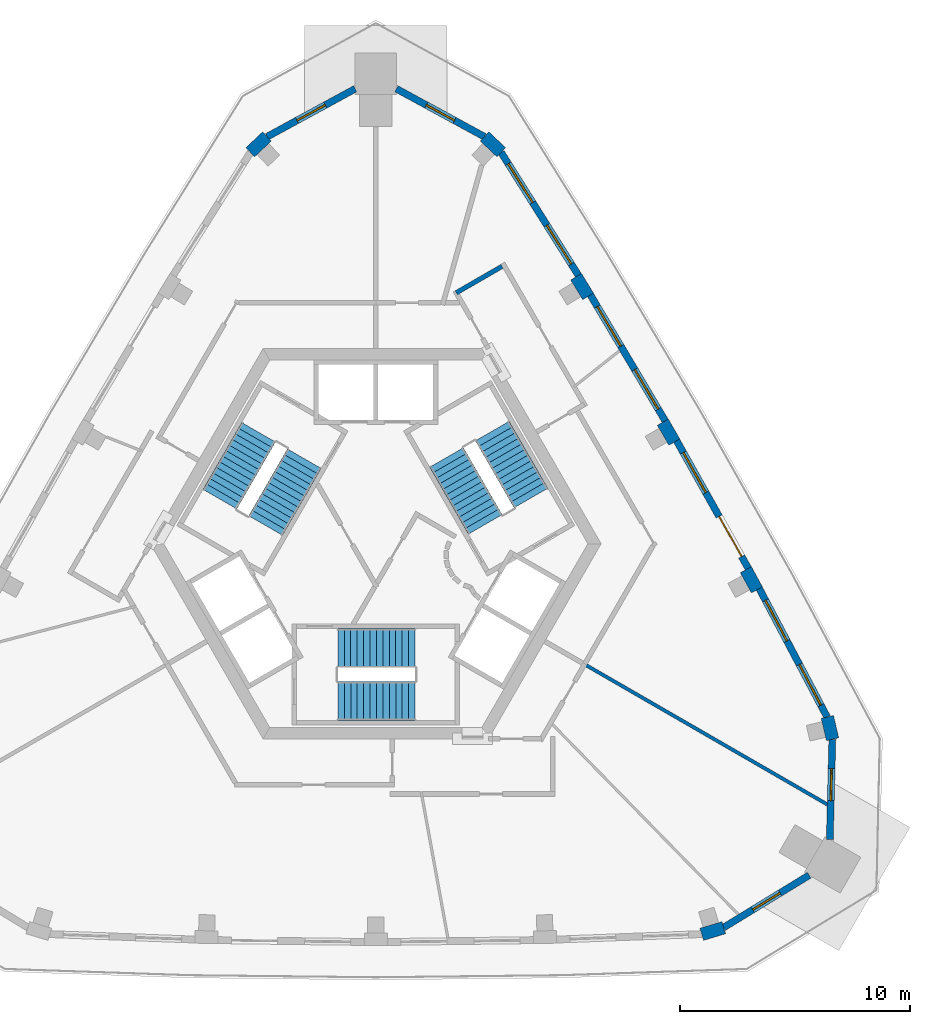
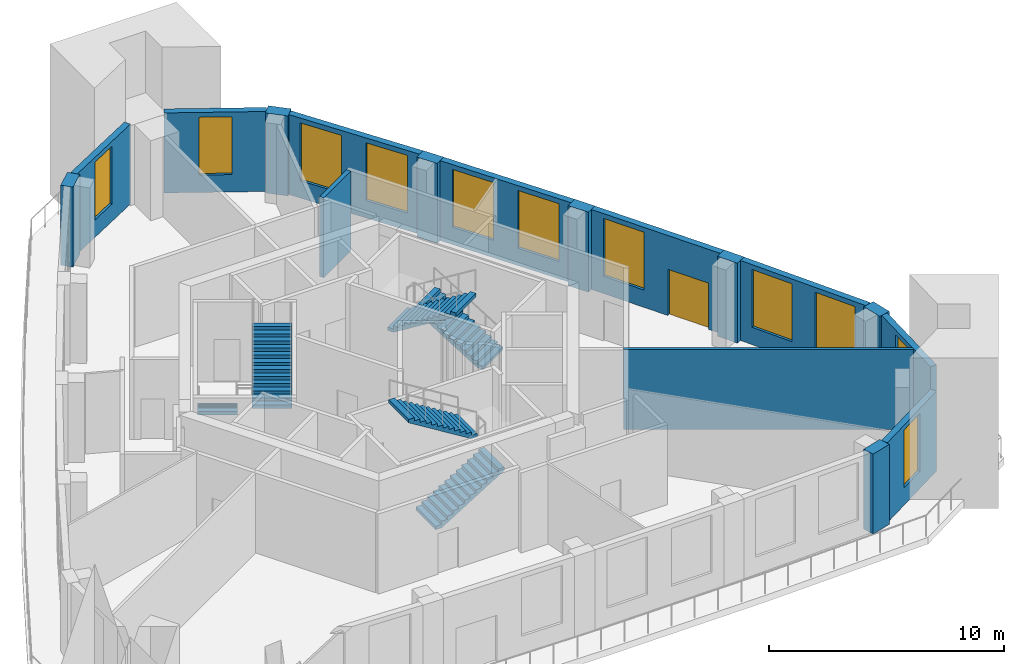
# One storey, part 5 of 7: 17 walls, 11 windows, 6 stair flights, 1 door, 12 openings, 3 elements without a shape of their own.
"""IFC4 building model written with IfcOpenShell, lengths in metres."""

from ifc_helpers import new_model, si_unit, direction, frame, frame_2d, origin, place, context, subcontext, project, spatial, polyline, rectangle, outline, extrude, material, layer, layer_set, type_object, element, fill, aggregate, save


model = new_model("IFC4")

# Units and contexts
model_context = context("Model", 3, precision=1e-05, world=origin(), true_north=direction((0.0, 1.0)))
body_context = subcontext(model_context, "Body", "Model", "MODEL_VIEW")
ifc_project = project(units=[si_unit("LENGTHUNIT", "METRE"), si_unit("AREAUNIT", "SQUARE_METRE"), si_unit("VOLUMEUNIT", "CUBIC_METRE"), si_unit("PLANEANGLEUNIT", "RADIAN"), si_unit("MASSUNIT", "GRAM", prefix="KILO")], contexts=[model_context])

# Site, building, storey
site_placement = place(None, origin())
site = spatial("IfcSite", under=ifc_project, at=site_placement, CompositionType="ELEMENT")
building_placement = place(site_placement, origin())
building = spatial("IfcBuilding", under=site, at=building_placement, Name="Entoto Arch Interchange Tower", CompositionType="ELEMENT")
storey_placement = place(building_placement, frame((0.0, 0.0, 340.39990234375)))
storey = spatial("IfcBuildingStorey", under=building, at=storey_placement, Name="L80", CompositionType="ELEMENT", Elevation=340.39990234375)

# Walls
ifc_material_1 = material(Name="Gypsum board partition on steel studs", Category="steel")
ifc_layer_1 = layer(ifc_material_1, 0.14990234375)
ifc_layer_set_1 = layer_set([ifc_layer_1], Name="Gypsum board partition on steel studs")
wall_type_1 = type_object("IfcWallType", Name="PARTITION 150", PredefinedType="PARTITIONING", material=ifc_layer_set_1)
wall_1_placement = place(storey_placement, frame((19.6640625, -8.85302734375, 0.0), z_axis=(0.0, 0.0, 1.0), x_axis=(-0.866035935173, 0.499981758657, 0.0)))
element("IfcWall", 1, at=wall_1_placement, inside=storey, type_object=wall_type_1, Name="wall:L80:p026", PredefinedType="PARTITIONING", context=body_context, shape_type="SweptSolid", body=[
    extrude(rectangle(XDim=12.306640625, YDim=0.14990234375, at=frame_2d((6.1533203125, 0.0))), origin(), (0.0, 0.0, 1.0), 4.150146484375),
])
ifc_layer_2 = layer(ifc_material_1, 0.199951171875)
ifc_layer_set_2 = layer_set([ifc_layer_2], Name="Gypsum board partition on steel studs")
wall_type_2 = type_object("IfcWallType", Name="PARTITION 200", PredefinedType="PARTITIONING", material=ifc_layer_set_2)
wall_2_placement = place(storey_placement, frame((3.50390625, 13.429931640625, 0.0), z_axis=(0.0, 0.0, 1.0), x_axis=(0.865927408828, 0.500169693844, 0.0)))
element("IfcWall", 2, at=wall_2_placement, inside=storey, type_object=wall_type_2, Name="wall:L80:p030", PredefinedType="PARTITIONING", context=body_context, shape_type="SweptSolid", body=[
    extrude(rectangle(XDim=2.299560546875, YDim=0.199951171875, at=frame_2d((1.14990234375, 0.0))), origin(), (0.0, 0.0, 1.0), 4.150146484375),
])

# Wall, opening, window
ifc_material_2 = material(Name="Welded tuff (ignimbrite) cladding, warm buff", Category="masonry")
ifc_layer_3 = layer(ifc_material_2, 0.300048828125)
ifc_layer_set_3 = layer_set([ifc_layer_3], Name="Welded tuff (ignimbrite) cladding, warm buff")
wall_type_3 = type_object("IfcWallType", Name="STONE INFILL WALL 300", PredefinedType="STANDARD", material=ifc_layer_set_3)
wall_3_placement = place(storey_placement, frame((15.152099609375, -14.212890625, 0.0), z_axis=(0.0, 0.0, 1.0), x_axis=(0.853225151066, 0.521542751448, 0.0)))
wall_3 = element("IfcWall", 3, at=wall_3_placement, inside=storey, type_object=wall_type_3, Name="Facade wall SE-01 L80", PredefinedType="STANDARD", context=body_context, shape_type="SweptSolid", body=[
    extrude(rectangle(XDim=4.36572265625, YDim=0.300048828125, at=frame_2d((2.182861328125, 0.0))), origin(), (0.0, 0.0, 1.0), 4.150146484375),
])
opening_1_placement = place(wall_3_placement, frame((1.48291015625, 0.0, 0.89990234375)))
opening_1 = element("IfcOpeningElement", 4, at=opening_1_placement, cuts=wall_3, Name="Opening WK-B", PredefinedType="OPENING", context=body_context, shape_type="SweptSolid", body=[
    extrude(rectangle(XDim=1.39990234375, YDim=3.0, at=frame_2d((0.699951171875, 1.5))), frame((0.0, 0.16015625, 0.0), z_axis=(0.0, -1.0, 0.0), x_axis=(1.0, 0.0, 0.0)), (0.0, 0.0, 1.0), 0.320068359375),
])
ifc_material_3 = material(Name="Clear glass, low-e double glazed", Category="glass")
window_type_1 = type_object("IfcWindowType", Name="WINDOW WK-B 1400x3000", PartitioningType="DOUBLE_PANEL_VERTICAL", PredefinedType="WINDOW", material=ifc_material_3)
window_1_placement = place(opening_1_placement, origin())
window_1 = element("IfcWindow", 5, at=window_1_placement, inside=storey, type_object=window_type_1, Name="Window WK-B SE-01 L80", OverallHeight=3.0, OverallWidth=1.39990234375, PartitioningType="SINGLE_PANEL", PredefinedType="WINDOW", context=body_context, shape_type="SweptSolid", body=[
    extrude(rectangle(XDim=1.39990234375, YDim=3.0, at=frame_2d((0.699951171875, 1.5))), frame((0.0, 0.030029296875, 0.0), z_axis=(0.0, -1.0, 0.0), x_axis=(1.0, 0.0, 0.0)), (0.0, 0.0, 1.0), 0.06005859375),
])
fill(opening_1, window_1)

wall_4_placement = place(storey_placement, frame((19.77587890625, -10.37890625, 0.0), z_axis=(0.0, 0.0, 1.0), x_axis=(0.025006167975, 0.99968729689, 0.0)))
wall_4 = element("IfcWall", 6, at=wall_4_placement, inside=storey, type_object=wall_type_3, Name="Facade wall SE-02 L80", PredefinedType="STANDARD", context=body_context, shape_type="SweptSolid", body=[
    extrude(rectangle(XDim=4.3642578125, YDim=0.300048828125, at=frame_2d((2.18212890625, 0.0))), origin(), (0.0, 0.0, 1.0), 4.150146484375),
])
opening_2_placement = place(wall_4_placement, frame((1.69091796875, 0.0, 0.89990234375)))
opening_2 = element("IfcOpeningElement", 7, at=opening_2_placement, cuts=wall_4, Name="Opening WK-B", PredefinedType="OPENING", context=body_context, shape_type="SweptSolid", body=[
    extrude(rectangle(XDim=1.39990234375, YDim=3.0, at=frame_2d((0.699951171875, 1.5))), frame((0.0, 0.16015625, 0.0), z_axis=(0.0, -1.0, 0.0), x_axis=(1.0, 0.0, 0.0)), (0.0, 0.0, 1.0), 0.320068359375),
])
window_2_placement = place(opening_2_placement, origin())
window_2 = element("IfcWindow", 8, at=window_2_placement, inside=storey, type_object=window_type_1, Name="Window WK-B SE-02 L80", OverallHeight=3.0, OverallWidth=1.39990234375, PartitioningType="SINGLE_PANEL", PredefinedType="WINDOW", context=body_context, shape_type="SweptSolid", body=[
    extrude(rectangle(XDim=1.39990234375, YDim=3.0, at=frame_2d((0.699951171875, 1.5))), frame((0.0, 0.030029296875, 0.0), z_axis=(0.0, -1.0, 0.0), x_axis=(1.0, 0.0, 0.0)), (0.0, 0.0, 1.0), 0.06005859375),
])
fill(opening_2, window_2)

# Wall, openings, windows
wall_5_placement = place(storey_placement, frame((19.656982421875, -5.0439453125, 0.0), z_axis=(0.0, 0.0, 1.0), x_axis=(-0.467155191513, 0.884175337274, 0.0)))
wall_5 = element("IfcWall", 9, at=wall_5_placement, inside=storey, type_object=wall_type_3, Name="Facade wall NE-01 L80", PredefinedType="STANDARD", context=body_context, shape_type="SweptSolid", body=[
    extrude(rectangle(XDim=6.32568359375, YDim=0.300048828125, at=frame_2d((3.162841796875, 0.0))), origin(), (0.0, 0.0, 1.0), 4.150146484375),
])
opening_3_placement = place(wall_5_placement, frame((0.5810546875, 0.0, 0.89990234375)))
opening_3 = element("IfcOpeningElement", 10, at=opening_3_placement, cuts=wall_5, Name="Opening WK-C", PredefinedType="OPENING", context=body_context, shape_type="SweptSolid", body=[
    extrude(rectangle(XDim=2.0, YDim=3.0, at=frame_2d((1.0, 1.5))), frame((0.0, 0.16015625, 0.0), z_axis=(0.0, -1.0, 0.0), x_axis=(1.0, 0.0, 0.0)), (0.0, 0.0, 1.0), 0.320068359375),
])
opening_4_placement = place(wall_5_placement, frame((3.743896484375, 0.0, 0.89990234375)))
opening_4 = element("IfcOpeningElement", 11, at=opening_4_placement, cuts=wall_5, Name="Opening WK-C", PredefinedType="OPENING", context=body_context, shape_type="SweptSolid", body=[
    extrude(rectangle(XDim=2.0, YDim=3.0, at=frame_2d((1.0, 1.5))), frame((0.0, 0.16015625, 0.0), z_axis=(0.0, -1.0, 0.0), x_axis=(1.0, 0.0, 0.0)), (0.0, 0.0, 1.0), 0.320068359375),
])
window_type_2 = type_object("IfcWindowType", Name="WINDOW WK-C 2000x3000", PartitioningType="DOUBLE_PANEL_VERTICAL", PredefinedType="WINDOW", material=ifc_material_3)
window_3_placement = place(opening_3_placement, origin())
window_3 = element("IfcWindow", 12, at=window_3_placement, inside=storey, type_object=window_type_2, Name="Window WK-C NE-01 L80", OverallHeight=3.0, OverallWidth=2.0, PartitioningType="SINGLE_PANEL", PredefinedType="WINDOW", context=body_context, shape_type="SweptSolid", body=[
    extrude(rectangle(XDim=2.0, YDim=3.0, at=frame_2d((1.0, 1.5))), frame((0.0, 0.030029296875, 0.0), z_axis=(0.0, -1.0, 0.0), x_axis=(1.0, 0.0, 0.0)), (0.0, 0.0, 1.0), 0.06005859375),
])
fill(opening_3, window_3)
window_4_placement = place(opening_4_placement, origin())
window_4 = element("IfcWindow", 13, at=window_4_placement, inside=storey, type_object=window_type_2, Name="Window WK-C NE-01 L80", OverallHeight=3.0, OverallWidth=2.0, PartitioningType="SINGLE_PANEL", PredefinedType="WINDOW", context=body_context, shape_type="SweptSolid", body=[
    extrude(rectangle(XDim=2.0, YDim=3.0, at=frame_2d((1.0, 1.5))), frame((0.0, 0.030029296875, 0.0), z_axis=(0.0, -1.0, 0.0), x_axis=(1.0, 0.0, 0.0)), (0.0, 0.0, 1.0), 0.06005859375),
])
fill(opening_4, window_4)

# Wall, openings, door, window
wall_6_placement = place(storey_placement, frame((16.22509765625, 1.426025390625, 0.0), z_axis=(0.0, 0.0, 1.0), x_axis=(-0.489232514948, 0.872153396094, 0.0)))
wall_6 = element("IfcWall", 14, at=wall_6_placement, inside=storey, type_object=wall_type_3, Name="Facade wall NE-02 L80", PredefinedType="STANDARD", context=body_context, shape_type="SweptSolid", body=[
    extrude(rectangle(XDim=6.379638671875, YDim=0.300048828125, at=frame_2d((3.18994140625, 0.0))), origin(), (0.0, 0.0, 1.0), 4.150146484375),
])
opening_5_placement = place(wall_6_placement, frame((0.594970703125, 0.0, 0.0)))
opening_5 = element("IfcOpeningElement", 15, at=opening_5_placement, cuts=wall_6, Name="Opening DT-NE-02-L80", PredefinedType="OPENING", context=body_context, shape_type="SweptSolid", body=[
    extrude(rectangle(XDim=2.0, YDim=2.39990234375, at=frame_2d((1.0, 1.199951171875))), frame((0.0, 0.16015625, 0.0), z_axis=(0.0, -1.0, 0.0), x_axis=(1.0, 0.0, 0.0)), (0.0, 0.0, 1.0), 0.320068359375),
])
opening_6_placement = place(wall_6_placement, frame((3.784912109375, 0.0, 0.89990234375)))
opening_6 = element("IfcOpeningElement", 16, at=opening_6_placement, cuts=wall_6, Name="Opening WK-C", PredefinedType="OPENING", context=body_context, shape_type="SweptSolid", body=[
    extrude(rectangle(XDim=2.0, YDim=3.0, at=frame_2d((1.0, 1.5))), frame((0.0, 0.16015625, 0.0), z_axis=(0.0, -1.0, 0.0), x_axis=(1.0, 0.0, 0.0)), (0.0, 0.0, 1.0), 0.320068359375),
])
ifc_material_4 = material(Name="Aluminium and clear glass, anodised", Category="aluminium")
door_type = type_object("IfcDoorType", Name="TERRACE DOOR DT 2000x2400", OperationType="SLIDING_TO_LEFT", PredefinedType="DOOR", material=ifc_material_4)
door_placement = place(opening_5_placement, origin())
door = element("IfcDoor", 17, at=door_placement, inside=storey, type_object=door_type, Name="Terrace door NE-02 L80", OperationType="SLIDING_TO_LEFT", OverallHeight=2.39990234375, OverallWidth=2.0, PredefinedType="DOOR", context=body_context, shape_type="SweptSolid", body=[
    extrude(rectangle(XDim=2.0, YDim=2.39990234375, at=frame_2d((1.0, 1.199951171875))), frame((0.0, 0.02490234375, 0.0), z_axis=(0.0, -1.0, 0.0), x_axis=(1.0, 0.0, 0.0)), (0.0, 0.0, 1.0), 0.050048828125),
])
fill(opening_5, door)
window_5_placement = place(opening_6_placement, origin())
window_5 = element("IfcWindow", 18, at=window_5_placement, inside=storey, type_object=window_type_2, Name="Window WK-C NE-02 L80", OverallHeight=3.0, OverallWidth=2.0, PartitioningType="SINGLE_PANEL", PredefinedType="WINDOW", context=body_context, shape_type="SweptSolid", body=[
    extrude(rectangle(XDim=2.0, YDim=3.0, at=frame_2d((1.0, 1.5))), frame((0.0, 0.030029296875, 0.0), z_axis=(0.0, -1.0, 0.0), x_axis=(1.0, 0.0, 0.0)), (0.0, 0.0, 1.0), 0.06005859375),
])
fill(opening_6, window_5)

# Wall, openings, windows
wall_7_placement = place(storey_placement, frame((12.60498046875, 7.85400390625, 0.0), z_axis=(0.0, 0.0, 1.0), x_axis=(-0.510686403068, 0.859767060152, 0.0)))
wall_7 = element("IfcWall", 19, at=wall_7_placement, inside=storey, type_object=wall_type_3, Name="Facade wall NE-03 L80", PredefinedType="STANDARD", context=body_context, shape_type="SweptSolid", body=[
    extrude(rectangle(XDim=6.379638671875, YDim=0.300048828125, at=frame_2d((3.18994140625, 0.0))), origin(), (0.0, 0.0, 1.0), 4.150146484375),
])
opening_7_placement = place(wall_7_placement, frame((0.594970703125, 0.0, 0.89990234375)))
opening_7 = element("IfcOpeningElement", 20, at=opening_7_placement, cuts=wall_7, Name="Opening WK-C", PredefinedType="OPENING", context=body_context, shape_type="SweptSolid", body=[
    extrude(rectangle(XDim=2.0, YDim=3.0, at=frame_2d((1.0, 1.5))), frame((0.0, 0.16015625, 0.0), z_axis=(0.0, -1.0, 0.0), x_axis=(1.0, 0.0, 0.0)), (0.0, 0.0, 1.0), 0.320068359375),
])
opening_8_placement = place(wall_7_placement, frame((3.784912109375, 0.0, 0.89990234375)))
opening_8 = element("IfcOpeningElement", 21, at=opening_8_placement, cuts=wall_7, Name="Opening WK-C", PredefinedType="OPENING", context=body_context, shape_type="SweptSolid", body=[
    extrude(rectangle(XDim=2.0, YDim=3.0, at=frame_2d((1.0, 1.5))), frame((0.0, 0.16015625, 0.0), z_axis=(0.0, -1.0, 0.0), x_axis=(1.0, 0.0, 0.0)), (0.0, 0.0, 1.0), 0.320068359375),
])
window_6_placement = place(opening_7_placement, origin())
window_6 = element("IfcWindow", 22, at=window_6_placement, inside=storey, type_object=window_type_2, Name="Window WK-C NE-03 L80", OverallHeight=3.0, OverallWidth=2.0, PartitioningType="SINGLE_PANEL", PredefinedType="WINDOW", context=body_context, shape_type="SweptSolid", body=[
    extrude(rectangle(XDim=2.0, YDim=3.0, at=frame_2d((1.0, 1.5))), frame((0.0, 0.030029296875, 0.0), z_axis=(0.0, -1.0, 0.0), x_axis=(1.0, 0.0, 0.0)), (0.0, 0.0, 1.0), 0.06005859375),
])
fill(opening_7, window_6)
window_7_placement = place(opening_8_placement, origin())
window_7 = element("IfcWindow", 23, at=window_7_placement, inside=storey, type_object=window_type_2, Name="Window WK-C NE-03 L80", OverallHeight=3.0, OverallWidth=2.0, PartitioningType="SINGLE_PANEL", PredefinedType="WINDOW", context=body_context, shape_type="SweptSolid", body=[
    extrude(rectangle(XDim=2.0, YDim=3.0, at=frame_2d((1.0, 1.5))), frame((0.0, 0.030029296875, 0.0), z_axis=(0.0, -1.0, 0.0), x_axis=(1.0, 0.0, 0.0)), (0.0, 0.0, 1.0), 0.06005859375),
])
fill(opening_8, window_7)

wall_8_placement = place(storey_placement, frame((8.825927734375, 14.18994140625, 0.0), z_axis=(0.0, 0.0, 1.0), x_axis=(-0.532279831475, 0.846568473902, 0.0)))
wall_8 = element("IfcWall", 24, at=wall_8_placement, inside=storey, type_object=wall_type_3, Name="Facade wall NE-04 L80", PredefinedType="STANDARD", context=body_context, shape_type="SweptSolid", body=[
    extrude(rectangle(XDim=6.325439453125, YDim=0.300048828125, at=frame_2d((3.16259765625, 0.0))), origin(), (0.0, 0.0, 1.0), 4.150146484375),
])
opening_9_placement = place(wall_8_placement, frame((0.5810546875, 0.0, 0.89990234375)))
opening_9 = element("IfcOpeningElement", 25, at=opening_9_placement, cuts=wall_8, Name="Opening WK-C", PredefinedType="OPENING", context=body_context, shape_type="SweptSolid", body=[
    extrude(rectangle(XDim=2.0, YDim=3.0, at=frame_2d((1.0, 1.5))), frame((0.0, 0.16015625, 0.0), z_axis=(0.0, -1.0, 0.0), x_axis=(1.0, 0.0, 0.0)), (0.0, 0.0, 1.0), 0.320068359375),
])
opening_10_placement = place(wall_8_placement, frame((3.743896484375, 0.0, 0.89990234375)))
opening_10 = element("IfcOpeningElement", 26, at=opening_10_placement, cuts=wall_8, Name="Opening WK-C", PredefinedType="OPENING", context=body_context, shape_type="SweptSolid", body=[
    extrude(rectangle(XDim=2.0, YDim=3.0, at=frame_2d((1.0, 1.5))), frame((0.0, 0.16015625, 0.0), z_axis=(0.0, -1.0, 0.0), x_axis=(1.0, 0.0, 0.0)), (0.0, 0.0, 1.0), 0.320068359375),
])
window_8_placement = place(opening_9_placement, origin())
window_8 = element("IfcWindow", 27, at=window_8_placement, inside=storey, type_object=window_type_2, Name="Window WK-C NE-04 L80", OverallHeight=3.0, OverallWidth=2.0, PartitioningType="SINGLE_PANEL", PredefinedType="WINDOW", context=body_context, shape_type="SweptSolid", body=[
    extrude(rectangle(XDim=2.0, YDim=3.0, at=frame_2d((1.0, 1.5))), frame((0.0, 0.030029296875, 0.0), z_axis=(0.0, -1.0, 0.0), x_axis=(1.0, 0.0, 0.0)), (0.0, 0.0, 1.0), 0.06005859375),
])
fill(opening_9, window_8)
window_9_placement = place(opening_10_placement, origin())
window_9 = element("IfcWindow", 28, at=window_9_placement, inside=storey, type_object=window_type_2, Name="Window WK-C NE-04 L80", OverallHeight=3.0, OverallWidth=2.0, PartitioningType="SINGLE_PANEL", PredefinedType="WINDOW", context=body_context, shape_type="SweptSolid", body=[
    extrude(rectangle(XDim=2.0, YDim=3.0, at=frame_2d((1.0, 1.5))), frame((0.0, 0.030029296875, 0.0), z_axis=(0.0, -1.0, 0.0), x_axis=(1.0, 0.0, 0.0)), (0.0, 0.0, 1.0), 0.06005859375),
])
fill(opening_10, window_9)

# Wall, opening, window
wall_9_placement = place(storey_placement, frame((4.73193359375, 20.22900390625, 0.0), z_axis=(0.0, 0.0, 1.0), x_axis=(-0.8782630237, 0.478177855197, 0.0)))
wall_9 = element("IfcWall", 29, at=wall_9_placement, inside=storey, type_object=wall_type_3, Name="Facade wall N-01 L80", PredefinedType="STANDARD", context=body_context, shape_type="SweptSolid", body=[
    extrude(rectangle(XDim=4.3642578125, YDim=0.300048828125, at=frame_2d((2.18212890625, 0.0))), origin(), (0.0, 0.0, 1.0), 4.150146484375),
])
opening_11_placement = place(wall_9_placement, frame((1.48193359375, 0.0, 0.89990234375)))
opening_11 = element("IfcOpeningElement", 30, at=opening_11_placement, cuts=wall_9, Name="Opening WK-B", PredefinedType="OPENING", context=body_context, shape_type="SweptSolid", body=[
    extrude(rectangle(XDim=1.39990234375, YDim=3.0, at=frame_2d((0.699951171875, 1.5))), frame((0.0, 0.16015625, 0.0), z_axis=(0.0, -1.0, 0.0), x_axis=(1.0, 0.0, 0.0)), (0.0, 0.0, 1.0), 0.320068359375),
])
window_10_placement = place(opening_11_placement, origin())
window_10 = element("IfcWindow", 31, at=window_10_placement, inside=storey, type_object=window_type_1, Name="Window WK-B N-01 L80", OverallHeight=3.0, OverallWidth=1.39990234375, PartitioningType="SINGLE_PANEL", PredefinedType="WINDOW", context=body_context, shape_type="SweptSolid", body=[
    extrude(rectangle(XDim=1.39990234375, YDim=3.0, at=frame_2d((0.699951171875, 1.5))), frame((0.0, 0.030029296875, 0.0), z_axis=(0.0, -1.0, 0.0), x_axis=(1.0, 0.0, 0.0)), (0.0, 0.0, 1.0), 0.06005859375),
])
fill(opening_11, window_10)

wall_10_placement = place(storey_placement, frame((-0.89892578125, 22.31591796875, 0.0), z_axis=(0.0, 0.0, 1.0), x_axis=(-0.8782630237, -0.478177855197, 0.0)))
wall_10 = element("IfcWall", 32, at=wall_10_placement, inside=storey, type_object=wall_type_3, Name="Facade wall N-02 L80", PredefinedType="STANDARD", context=body_context, shape_type="SweptSolid", body=[
    extrude(rectangle(XDim=4.3642578125, YDim=0.300048828125, at=frame_2d((2.18212890625, 0.0))), origin(), (0.0, 0.0, 1.0), 4.150146484375),
])
opening_12_placement = place(wall_10_placement, frame((1.48193359375, 0.0, 0.89990234375)))
opening_12 = element("IfcOpeningElement", 33, at=opening_12_placement, cuts=wall_10, Name="Opening WK-B", PredefinedType="OPENING", context=body_context, shape_type="SweptSolid", body=[
    extrude(rectangle(XDim=1.39990234375, YDim=3.0, at=frame_2d((0.699951171875, 1.5))), frame((0.0, 0.16015625, 0.0), z_axis=(0.0, -1.0, 0.0), x_axis=(1.0, 0.0, 0.0)), (0.0, 0.0, 1.0), 0.320068359375),
])
window_11_placement = place(opening_12_placement, origin())
window_11 = element("IfcWindow", 34, at=window_11_placement, inside=storey, type_object=window_type_1, Name="Window WK-B N-02 L80", OverallHeight=3.0, OverallWidth=1.39990234375, PartitioningType="SINGLE_PANEL", PredefinedType="WINDOW", context=body_context, shape_type="SweptSolid", body=[
    extrude(rectangle(XDim=1.39990234375, YDim=3.0, at=frame_2d((0.699951171875, 1.5))), frame((0.0, 0.030029296875, 0.0), z_axis=(0.0, -1.0, 0.0), x_axis=(1.0, 0.0, 0.0)), (0.0, 0.0, 1.0), 0.06005859375),
])
fill(opening_12, window_11)

# Walls
ifc_layer_4 = layer(ifc_material_2, 0.550048828125)
ifc_layer_set_4 = layer_set([ifc_layer_4], Name="Welded tuff (ignimbrite) cladding, warm buff")
wall_type_4 = type_object("IfcWallType", Name="STONE PIER CLADDING 550", PredefinedType="STANDARD", material=ifc_layer_set_4)
wall_11_placement = place(storey_placement, frame((19.89501953125, -6.014892578125, 0.0), z_axis=(0.0, 0.0, 1.0), x_axis=(-0.227978015861, 0.97366627973, 0.0)))
element("IfcWall", 35, at=wall_11_placement, inside=storey, type_object=wall_type_4, Name="Stone pier NE01 L80", PredefinedType="STANDARD", context=body_context, shape_type="SweptSolid", body=[
    extrude(rectangle(XDim=1.000244140625, YDim=0.550048828125, at=frame_2d((0.5, 0.0))), origin(), (0.0, 0.0, 1.0), 4.150146484375),
])
wall_12_placement = place(storey_placement, frame((16.59912109375, 0.490966796875, 0.0), z_axis=(0.0, 0.0, 1.0), x_axis=(-0.478442030542, 0.878119139645, 0.0)))
element("IfcWall", 36, at=wall_12_placement, inside=storey, type_object=wall_type_4, Name="Stone pier NE02 L80", PredefinedType="STANDARD", context=body_context, shape_type="SweptSolid", body=[
    extrude(rectangle(XDim=1.001220703125, YDim=0.550048828125, at=frame_2d((0.50048828125, 0.0))), origin(), (0.0, 0.0, 1.0), 4.150146484375),
])
wall_13_placement = place(storey_placement, frame((13.001953125, 6.928955078125, 0.0), z_axis=(0.0, 0.0, 1.0), x_axis=(-0.49960277677, 0.866254619292, 0.0)))
element("IfcWall", 37, at=wall_13_placement, inside=storey, type_object=wall_type_4, Name="Stone pier NE03 L80", PredefinedType="STANDARD", context=body_context, shape_type="SweptSolid", body=[
    extrude(rectangle(XDim=1.000732421875, YDim=0.550048828125, at=frame_2d((0.50048828125, 0.0))), origin(), (0.0, 0.0, 1.0), 4.150146484375),
])
wall_14_placement = place(storey_placement, frame((9.24609375, 13.27587890625, 0.0), z_axis=(0.0, 0.0, 1.0), x_axis=(-0.521232636172, 0.853414634857, 0.0)))
element("IfcWall", 38, at=wall_14_placement, inside=storey, type_object=wall_type_4, Name="Stone pier NE04 L80", PredefinedType="STANDARD", context=body_context, shape_type="SweptSolid", body=[
    extrude(rectangle(XDim=0.99951171875, YDim=0.550048828125, at=frame_2d((0.499755859375, 0.0))), origin(), (0.0, 0.0, 1.0), 4.150146484375),
])
for number, where, z_axis, x_axis, name in (
    (39, (5.467041015625, 19.552001953125, 0.0), (0.0, 0.0, 1.0), (-0.728729965402, 0.684801166416, 0.0), "Stone pier NE05 L80"),
    (40, (-4.738037109375, 20.237060546875, 0.0), (0.0, 0.0, 1.0), (-0.728729965402, -0.684801166416, 0.0), "Stone pier NW01 L80"),
):
    element("IfcWall", number, at=place(storey_placement, frame(where, z_axis=z_axis, x_axis=x_axis)), inside=storey, type_object=wall_type_4, Name=name, PredefinedType="STANDARD", context=body_context, shape_type="SweptSolid", body=[
        extrude(rectangle(XDim=1.00048828125, YDim=0.550048828125, at=frame_2d((0.500244140625, 0.0))), origin(), (0.0, 0.0, 1.0), 4.150146484375),
    ])
wall_15_placement = place(storey_placement, frame((14.198974609375, -14.510986328125, 0.0), z_axis=(0.0, 0.0, 1.0), x_axis=(0.957286907321, 0.289139718946, 0.0)))
element("IfcWall", 41, at=wall_15_placement, inside=storey, type_object=wall_type_4, Name="Stone pier S05 L80", PredefinedType="STANDARD", context=body_context, shape_type="SweptSolid", body=[
    extrude(rectangle(XDim=0.999755859375, YDim=0.550048828125, at=frame_2d((0.5, 0.0))), origin(), (0.0, 0.0, 1.0), 4.150146484375),
])

# Stair, stair flights
ifc_material_5 = material(Name="Concrete C40/50", Category="concrete")
stair_type = type_object("IfcStairType", Name="EXIT STAIR RC 1700", PredefinedType="HALF_TURN_STAIR", material=ifc_material_5)
stair_1_placement = place(storey_placement, origin())
stair_1 = element("IfcStair", 42, at=stair_1_placement, inside=storey, type_object=stair_type, Name="L80 Exit stair S", PredefinedType="HALF_TURN_STAIR")
stair_flight_type = type_object("IfcStairFlightType", Name="EXIT STAIR FLIGHT RC 1700", PredefinedType="STRAIGHT", material=ifc_material_5)
stair_flight_1_placement = place(storey_placement, frame((-1.64990234375, -4.35009765625, 0.0), z_axis=(0.0, 0.0, 1.0), x_axis=(1.0, 0.0, 0.0)))
stair_flight_1 = element("IfcStairFlight", 43, at=stair_flight_1_placement, type_object=stair_flight_type, Name="ST-S flight 1", NumberOfRisers=13, NumberOfTreads=12, PredefinedType="STRAIGHT", RiserHeight=0.173076923, TreadLength=0.28, context=body_context, shape_type="SweptSolid", body=[
    extrude(outline(polyline([(-0.0029296875, 0.0), (-0.0029296875, 0.173095703125), (0.280029296875, 0.173095703125), (0.280029296875, 0.34619140625), (0.56005859375, 0.34619140625), (0.56005859375, 0.519287109375), (0.840087890625, 0.519287109375), (0.840087890625, 0.6923828125), (1.1201171875, 0.6923828125), (1.1201171875, 0.865478515625), (1.39990234375, 0.865478515625), (1.39990234375, 1.03857421875), (1.679931640625, 1.03857421875), (1.679931640625, 1.21142578125), (1.9599609375, 1.21142578125), (1.9599609375, 1.384521484375), (2.239990234375, 1.384521484375), (2.239990234375, 1.5576171875), (2.52001953125, 1.5576171875), (2.52001953125, 1.730712890625), (2.800048828125, 1.730712890625), (2.800048828125, 1.90380859375), (3.080078125, 1.90380859375), (3.080078125, 2.076904296875), (3.360107421875, 2.076904296875), (3.363037109375, 2.076904296875), (3.363037109375, 1.902587890625), (0.28515625, 0.0), (-0.0029296875, 0.0)])), frame((0.0, 0.85009765625, 0.0), z_axis=(0.0, -1.0, 0.0), x_axis=(1.0, 0.0, 0.0)), (0.0, 0.0, 1.0), 1.699951171875),
])
stair_flight_2_placement = place(storey_placement, frame((1.7099609375, -2.050048828125, 2.25), z_axis=(0.0, 0.0, 1.0), x_axis=(-1.0, 0.0, 0.0)))
stair_flight_2 = element("IfcStairFlight", 44, at=stair_flight_2_placement, type_object=stair_flight_type, Name="ST-S flight 2", NumberOfRisers=13, NumberOfTreads=12, PredefinedType="STRAIGHT", RiserHeight=0.173076923, TreadLength=0.28, context=body_context, shape_type="SweptSolid", body=[
    extrude(outline(polyline([(-0.0029296875, 0.0), (-0.0029296875, 0.173095703125), (0.280029296875, 0.173095703125), (0.280029296875, 0.34619140625), (0.56005859375, 0.34619140625), (0.56005859375, 0.519287109375), (0.840087890625, 0.519287109375), (0.840087890625, 0.6923828125), (1.1201171875, 0.6923828125), (1.1201171875, 0.865478515625), (1.39990234375, 0.865478515625), (1.39990234375, 1.03857421875), (1.679931640625, 1.03857421875), (1.679931640625, 1.21142578125), (1.9599609375, 1.21142578125), (1.9599609375, 1.384521484375), (2.239990234375, 1.384521484375), (2.239990234375, 1.5576171875), (2.52001953125, 1.5576171875), (2.52001953125, 1.730712890625), (2.800048828125, 1.730712890625), (2.800048828125, 1.90380859375), (3.080078125, 1.90380859375), (3.080078125, 2.076904296875), (3.360107421875, 2.076904296875), (3.363037109375, 2.076904296875), (3.363037109375, 1.902587890625), (0.28515625, 0.0), (-0.0029296875, 0.0)])), frame((0.0, 0.85009765625, 0.0), z_axis=(0.0, -1.0, 0.0), x_axis=(1.0, 0.0, 0.0)), (0.0, 0.0, 1.0), 1.699951171875),
])
aggregate(stair_1, [stair_flight_1, stair_flight_2])

stair_2_placement = place(storey_placement, origin())
stair_2 = element("IfcStair", 45, at=stair_2_placement, inside=storey, type_object=stair_type, Name="L80 Exit stair NE", PredefinedType="HALF_TURN_STAIR")
stair_flight_3_placement = place(storey_placement, frame((6.75732421875, 4.49609375, 0.0), z_axis=(0.0, 0.0, 1.0), x_axis=(-0.5, 0.866025403784, 0.0)))
stair_flight_3 = element("IfcStairFlight", 46, at=stair_flight_3_placement, type_object=stair_flight_type, Name="ST-NE flight 1", NumberOfRisers=13, NumberOfTreads=12, PredefinedType="STRAIGHT", RiserHeight=0.173076923, TreadLength=0.28, context=body_context, shape_type="SweptSolid", body=[
    extrude(outline(polyline([(-0.0029296875, 0.0), (-0.0029296875, 0.173095703125), (0.280029296875, 0.173095703125), (0.280029296875, 0.34619140625), (0.56005859375, 0.34619140625), (0.56005859375, 0.519287109375), (0.840087890625, 0.519287109375), (0.840087890625, 0.6923828125), (1.1201171875, 0.6923828125), (1.1201171875, 0.865478515625), (1.39990234375, 0.865478515625), (1.39990234375, 1.03857421875), (1.679931640625, 1.03857421875), (1.679931640625, 1.21142578125), (1.9599609375, 1.21142578125), (1.9599609375, 1.384521484375), (2.239990234375, 1.384521484375), (2.239990234375, 1.5576171875), (2.52001953125, 1.5576171875), (2.52001953125, 1.730712890625), (2.800048828125, 1.730712890625), (2.800048828125, 1.90380859375), (3.080078125, 1.90380859375), (3.080078125, 2.076904296875), (3.360107421875, 2.076904296875), (3.363037109375, 2.076904296875), (3.363037109375, 1.902587890625), (0.28515625, 0.0), (-0.0029296875, 0.0)])), frame((0.0, 0.85009765625, 0.0), z_axis=(0.0, -1.0, 0.0), x_axis=(1.0, 0.0, 0.0)), (0.0, 0.0, 1.0), 1.699951171875),
])
stair_flight_4_placement = place(storey_placement, frame((3.08544921875, 6.255859375, 2.25), z_axis=(0.0, 0.0, 1.0), x_axis=(0.5, -0.866025403784, 0.0)))
stair_flight_4 = element("IfcStairFlight", 47, at=stair_flight_4_placement, type_object=stair_flight_type, Name="ST-NE flight 2", NumberOfRisers=13, NumberOfTreads=12, PredefinedType="STRAIGHT", RiserHeight=0.173076923, TreadLength=0.28, context=body_context, shape_type="SweptSolid", body=[
    extrude(outline(polyline([(-0.0029296875, 0.0), (-0.0029296875, 0.173095703125), (0.280029296875, 0.173095703125), (0.280029296875, 0.34619140625), (0.56005859375, 0.34619140625), (0.56005859375, 0.519287109375), (0.840087890625, 0.519287109375), (0.840087890625, 0.6923828125), (1.1201171875, 0.6923828125), (1.1201171875, 0.865478515625), (1.39990234375, 0.865478515625), (1.39990234375, 1.03857421875), (1.679931640625, 1.03857421875), (1.679931640625, 1.21142578125), (1.9599609375, 1.21142578125), (1.9599609375, 1.384521484375), (2.239990234375, 1.384521484375), (2.239990234375, 1.5576171875), (2.52001953125, 1.5576171875), (2.52001953125, 1.730712890625), (2.800048828125, 1.730712890625), (2.800048828125, 1.90380859375), (3.080078125, 1.90380859375), (3.080078125, 2.076904296875), (3.360107421875, 2.076904296875), (3.363037109375, 2.076904296875), (3.363037109375, 1.902587890625), (0.28515625, 0.0), (-0.0029296875, 0.0)])), frame((0.0, 0.85009765625, 0.0), z_axis=(0.0, -1.0, 0.0), x_axis=(1.0, 0.0, 0.0)), (0.0, 0.0, 1.0), 1.699951171875),
])
aggregate(stair_2, [stair_flight_3, stair_flight_4])

stair_3_placement = place(storey_placement, origin())
stair_3 = element("IfcStair", 48, at=stair_3_placement, inside=storey, type_object=stair_type, Name="L80 Exit stair NW", PredefinedType="HALF_TURN_STAIR")
stair_flight_5_placement = place(storey_placement, frame((-5.107177734375, 7.35400390625, 0.0), z_axis=(0.0, 0.0, 1.0), x_axis=(-0.5, -0.866025403784, 0.0)))
stair_flight_5 = element("IfcStairFlight", 49, at=stair_flight_5_placement, type_object=stair_flight_type, Name="ST-NW flight 1", NumberOfRisers=13, NumberOfTreads=12, PredefinedType="STRAIGHT", RiserHeight=0.173076923, TreadLength=0.28, context=body_context, shape_type="SweptSolid", body=[
    extrude(outline(polyline([(-0.0029296875, 0.0), (-0.0029296875, 0.173095703125), (0.280029296875, 0.173095703125), (0.280029296875, 0.34619140625), (0.56005859375, 0.34619140625), (0.56005859375, 0.519287109375), (0.840087890625, 0.519287109375), (0.840087890625, 0.6923828125), (1.1201171875, 0.6923828125), (1.1201171875, 0.865478515625), (1.39990234375, 0.865478515625), (1.39990234375, 1.03857421875), (1.679931640625, 1.03857421875), (1.679931640625, 1.21142578125), (1.9599609375, 1.21142578125), (1.9599609375, 1.384521484375), (2.239990234375, 1.384521484375), (2.239990234375, 1.5576171875), (2.52001953125, 1.5576171875), (2.52001953125, 1.730712890625), (2.800048828125, 1.730712890625), (2.800048828125, 1.90380859375), (3.080078125, 1.90380859375), (3.080078125, 2.076904296875), (3.360107421875, 2.076904296875), (3.363037109375, 2.076904296875), (3.363037109375, 1.902587890625), (0.28515625, 0.0), (-0.0029296875, 0.0)])), frame((0.0, 0.85009765625, 0.0), z_axis=(0.0, -1.0, 0.0), x_axis=(1.0, 0.0, 0.0)), (0.0, 0.0, 1.0), 1.699951171875),
])
stair_flight_6_placement = place(storey_placement, frame((-4.79541015625, 3.294189453125, 2.25), z_axis=(0.0, 0.0, 1.0), x_axis=(0.5, 0.866025403784, 0.0)))
stair_flight_6 = element("IfcStairFlight", 50, at=stair_flight_6_placement, type_object=stair_flight_type, Name="ST-NW flight 2", NumberOfRisers=13, NumberOfTreads=12, PredefinedType="STRAIGHT", RiserHeight=0.173076923, TreadLength=0.28, context=body_context, shape_type="SweptSolid", body=[
    extrude(outline(polyline([(-0.0029296875, 0.0), (-0.0029296875, 0.173095703125), (0.280029296875, 0.173095703125), (0.280029296875, 0.34619140625), (0.56005859375, 0.34619140625), (0.56005859375, 0.519287109375), (0.840087890625, 0.519287109375), (0.840087890625, 0.6923828125), (1.1201171875, 0.6923828125), (1.1201171875, 0.865478515625), (1.39990234375, 0.865478515625), (1.39990234375, 1.03857421875), (1.679931640625, 1.03857421875), (1.679931640625, 1.21142578125), (1.9599609375, 1.21142578125), (1.9599609375, 1.384521484375), (2.239990234375, 1.384521484375), (2.239990234375, 1.5576171875), (2.52001953125, 1.5576171875), (2.52001953125, 1.730712890625), (2.800048828125, 1.730712890625), (2.800048828125, 1.90380859375), (3.080078125, 1.90380859375), (3.080078125, 2.076904296875), (3.360107421875, 2.076904296875), (3.363037109375, 2.076904296875), (3.363037109375, 1.902587890625), (0.28515625, 0.0), (-0.0029296875, 0.0)])), frame((0.0, 0.85009765625, 0.0), z_axis=(0.0, -1.0, 0.0), x_axis=(1.0, 0.0, 0.0)), (0.0, 0.0, 1.0), 1.699951171875),
])
aggregate(stair_3, [stair_flight_5, stair_flight_6])

save(model, "model.ifc")
